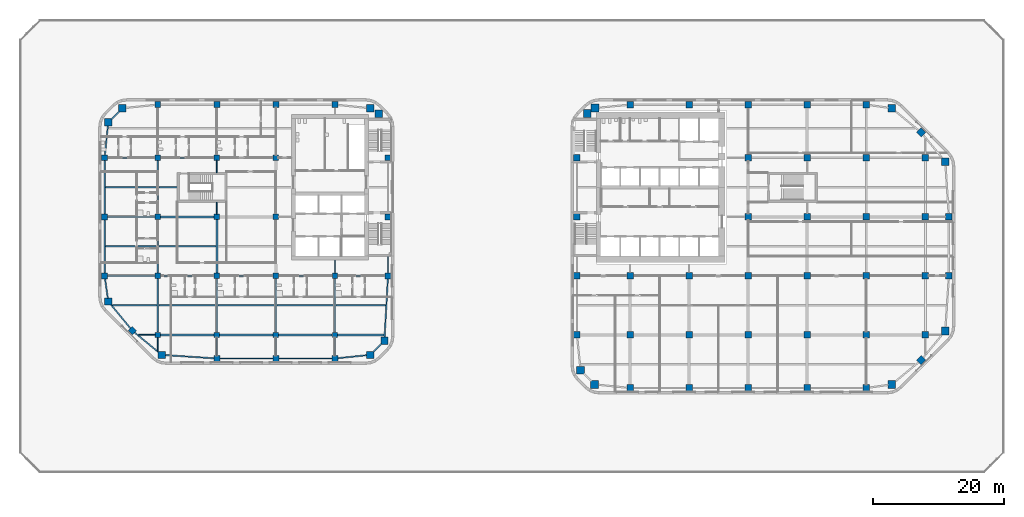
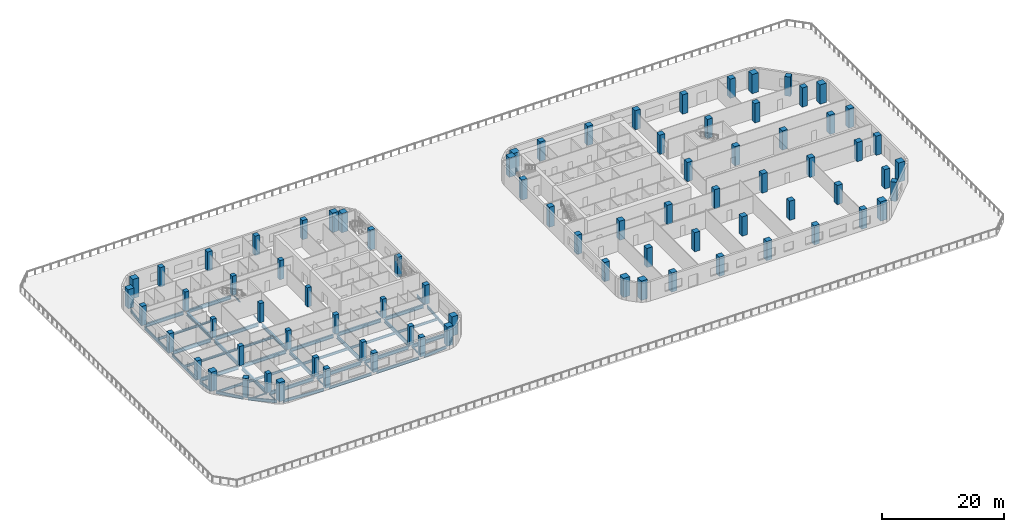
# One storey, part 1 of 18: 82 columns, 51 beams.
"""IFC4 building model written with IfcOpenShell, lengths in metres."""

from ifc_helpers import new_model, si_unit, direction, frame, origin, origin_2d, place, context, subcontext, project, spatial, rectangle, i_section, extrude, material, material_profile, profile_set, type_object, element, save


model = new_model("IFC4")

# Units and contexts
model_context = context("Model", 3, precision=1e-05, world=origin(), true_north=direction((0.0, 1.0)))
body_context = subcontext(model_context, "Body", "Model", "MODEL_VIEW")
ifc_project = project(units=[si_unit("LENGTHUNIT", "METRE"), si_unit("AREAUNIT", "SQUARE_METRE"), si_unit("VOLUMEUNIT", "CUBIC_METRE"), si_unit("PLANEANGLEUNIT", "RADIAN"), si_unit("MASSUNIT", "GRAM", prefix="KILO")], contexts=[model_context])

# Site, building, storey
site_placement = place(None, origin())
site = spatial("IfcSite", under=ifc_project, at=site_placement, CompositionType="ELEMENT")
building_placement = place(site_placement, origin())
building = spatial("IfcBuilding", under=site, at=building_placement, Name="Cinnabar Reach Civic Tower", CompositionType="ELEMENT")
storey_placement = place(building_placement, frame((0.0, 0.0, 26.0)))
storey = spatial("IfcBuildingStorey", under=building, at=storey_placement, Name="L05", CompositionType="ELEMENT", Elevation=26.0)

# Columns
ifc_material_1 = material(Name="Concrete C70", Category="concrete")
ifc_material_profile_1 = material_profile(ifc_material_1, rectangle(XDim=1.0, YDim=1.0, at=origin_2d()), Name="RC1000")
ifc_profile_set_1 = profile_set([ifc_material_profile_1], Name="Concrete C70")
column_type_1 = type_object("IfcColumnType", Name="RC1000 column R 240", PredefinedType="COLUMN", material=ifc_profile_set_1)
for number, where, z_axis, x_axis, name in (
    (1, (9.0, 0.9, 0.0), (0.0, 0.0, 1.0), (1.0, 0.0, 0.0), "Column T1-Z1-F0-1"),
    (2, (18.0, 0.9, 0.0), (0.0, 0.0, 1.0), (1.0, 0.0, 0.0), "Column T1-Z1-F0-2"),
    (3, (27.0, 0.9, 0.0), (0.0, 0.0, 1.0), (1.0, 0.0, 0.0), "Column T1-Z1-F0-3"),
    (4, (36.0, 0.9, 0.0), (0.0, 0.0, 1.0), (1.0, 0.0, 0.0), "Column T1-Z1-F0-4"),
    (5, (45.0, 0.9, 0.0), (0.0, 0.0, 1.0), (1.0, 0.0, 0.0), "Column T1-Z1-F0-5"),
    (6, (53.3636, 5.1364, 0.0), (0.0, 0.0, 1.0), (0.707106781187, 0.707106781187, 0.0), "Column T1-Z1-F1-M"),
    (7, (57.6, 18.0, 0.0), (0.0, 0.0, 1.0), (1.0, 0.0, 0.0), "Column T1-Z1-F2-2"),
    (8, (57.6, 27.0, 0.0), (0.0, 0.0, 1.0), (1.0, 0.0, 0.0), "Column T1-Z1-F2-3"),
    (9, (53.3636, 39.8636, 0.0), (0.0, 0.0, 1.0), (0.707106781187, 0.707106781187, 0.0), "Column T1-Z1-F3-M"),
    (10, (9.0, 44.1, 0.0), (0.0, 0.0, 1.0), (1.0, 0.0, 0.0), "Column T1-Z1-F4-1"),
    (11, (18.0, 44.1, 0.0), (0.0, 0.0, 1.0), (1.0, 0.0, 0.0), "Column T1-Z1-F4-2"),
    (12, (27.0, 44.1, 0.0), (0.0, 0.0, 1.0), (1.0, 0.0, 0.0), "Column T1-Z1-F4-3"),
    (13, (36.0, 44.1, 0.0), (0.0, 0.0, 1.0), (1.0, 0.0, 0.0), "Column T1-Z1-F4-4"),
    (14, (45.0, 44.1, 0.0), (0.0, 0.0, 1.0), (1.0, 0.0, 0.0), "Column T1-Z1-F4-5"),
    (15, (0.9, 9.0, 0.0), (0.0, 0.0, 1.0), (1.0, 0.0, 0.0), "Column T1-Z1-F6-1"),
    (16, (0.9, 18.0, 0.0), (0.0, 0.0, 1.0), (1.0, 0.0, 0.0), "Column T1-Z1-F6-2"),
):
    element("IfcColumn", number, at=place(storey_placement, frame(where, z_axis=z_axis, x_axis=x_axis)), inside=storey, type_object=column_type_1, Name=name, PredefinedType="COLUMN", context=body_context, shape_type="SweptSolid", body=[
        extrude(rectangle(XDim=1.0, YDim=1.0, at=origin_2d()), origin(), (0.0, 0.0, 1.0), 3.85),
    ])
for number, where, z_axis, x_axis, name in (
    (17, (0.9, 27.0, 0.0), (0.0, 0.0, 1.0), (1.0, 0.0, 0.0), "Column T1-Z1-F6-3"),
    (18, (0.9, 36.0, 0.0), (0.0, 0.0, 1.0), (1.0, 0.0, 0.0), "Column T1-Z1-F6-4"),
):
    element("IfcColumn", number, at=place(storey_placement, frame(where, z_axis=z_axis, x_axis=x_axis)), inside=storey, type_object=column_type_1, Name=name, PredefinedType="COLUMN", context=body_context, shape_type="SweptSolid", body=[
        extrude(rectangle(XDim=1.0, YDim=1.0, at=origin_2d()), origin(), (0.0, 0.0, 1.0), 4.0),
    ])
for number, where, z_axis, x_axis, name in (
    (19, (9.0, 9.0, 0.0), (0.0, 0.0, 1.0), (1.0, 0.0, 0.0), "Column T1-Z1-I9_9"),
    (20, (9.0, 18.0, 0.0), (0.0, 0.0, 1.0), (1.0, 0.0, 0.0), "Column T1-Z1-I9_18"),
    (21, (18.0, 9.0, 0.0), (0.0, 0.0, 1.0), (1.0, 0.0, 0.0), "Column T1-Z1-I18_9"),
    (22, (18.0, 18.0, 0.0), (0.0, 0.0, 1.0), (1.0, 0.0, 0.0), "Column T1-Z1-I18_18"),
    (23, (27.0, 9.0, 0.0), (0.0, 0.0, 1.0), (1.0, 0.0, 0.0), "Column T1-Z1-I27_9"),
    (24, (27.0, 18.0, 0.0), (0.0, 0.0, 1.0), (1.0, 0.0, 0.0), "Column T1-Z1-I27_18"),
    (25, (27.0, 27.0, 0.0), (0.0, 0.0, 1.0), (1.0, 0.0, 0.0), "Column T1-Z1-I27_27"),
    (26, (27.0, 36.0, 0.0), (0.0, 0.0, 1.0), (1.0, 0.0, 0.0), "Column T1-Z1-I27_36"),
    (27, (36.0, 9.0, 0.0), (0.0, 0.0, 1.0), (1.0, 0.0, 0.0), "Column T1-Z1-I36_9"),
    (28, (36.0, 18.0, 0.0), (0.0, 0.0, 1.0), (1.0, 0.0, 0.0), "Column T1-Z1-I36_18"),
    (29, (36.0, 27.0, 0.0), (0.0, 0.0, 1.0), (1.0, 0.0, 0.0), "Column T1-Z1-I36_27"),
    (30, (36.0, 36.0, 0.0), (0.0, 0.0, 1.0), (1.0, 0.0, 0.0), "Column T1-Z1-I36_36"),
    (31, (45.0, 9.0, 0.0), (0.0, 0.0, 1.0), (1.0, 0.0, 0.0), "Column T1-Z1-I45_9"),
    (32, (45.0, 18.0, 0.0), (0.0, 0.0, 1.0), (1.0, 0.0, 0.0), "Column T1-Z1-I45_18"),
    (33, (45.0, 27.0, 0.0), (0.0, 0.0, 1.0), (1.0, 0.0, 0.0), "Column T1-Z1-I45_27"),
    (34, (45.0, 36.0, 0.0), (0.0, 0.0, 1.0), (1.0, 0.0, 0.0), "Column T1-Z1-I45_36"),
    (35, (54.0, 9.0, 0.0), (0.0, 0.0, 1.0), (1.0, 0.0, 0.0), "Column T1-Z1-I54_9"),
    (36, (54.0, 18.0, 0.0), (0.0, 0.0, 1.0), (1.0, 0.0, 0.0), "Column T1-Z1-I54_18"),
    (37, (54.0, 27.0, 0.0), (0.0, 0.0, 1.0), (1.0, 0.0, 0.0), "Column T1-Z1-I54_27"),
    (38, (54.0, 36.0, 0.0), (0.0, 0.0, 1.0), (1.0, 0.0, 0.0), "Column T1-Z1-I54_36"),
):
    element("IfcColumn", number, at=place(storey_placement, frame(where, z_axis=z_axis, x_axis=x_axis)), inside=storey, type_object=column_type_1, Name=name, PredefinedType="COLUMN", context=body_context, shape_type="SweptSolid", body=[
        extrude(rectangle(XDim=1.0, YDim=1.0, at=origin_2d()), origin(), (0.0, 0.0, 1.0), 3.85),
    ])
ifc_material_2 = material(Name="Concrete C80", Category="concrete")
ifc_material_profile_2 = material_profile(ifc_material_2, rectangle(XDim=1.1, YDim=1.1, at=origin_2d()), Name="RC1100")
ifc_profile_set_2 = profile_set([ifc_material_profile_2], Name="Concrete C80")
column_type_2 = type_object("IfcColumnType", Name="RC1100 column R 180", PredefinedType="COLUMN", material=ifc_profile_set_2)
for number, where, z_axis, x_axis, name in (
    (39, (-62.3981, 5.9531, 0.0), (0.0, 0.0, 1.0), (1.0, 0.0, 0.0), "Column T2-Z1-CC0"),
    (40, (-30.6019, 5.9531, 0.0), (0.0, 0.0, 1.0), (1.0, 0.0, 0.0), "Column T2-Z1-CC1"),
    (41, (-28.4531, 8.1019, 0.0), (0.0, 0.0, 1.0), (1.0, 0.0, 0.0), "Column T2-Z1-CC2"),
    (42, (-29.3131, 42.7, 0.0), (0.0, 0.0, 1.0), (1.0, 0.0, 0.0), "Column T2-Z1-CC3"),
    (43, (-30.6019, 43.5469, 0.0), (0.0, 0.0, 1.0), (1.0, 0.0, 0.0), "Column T2-Z1-CC4"),
    (44, (-68.3981, 43.5469, 0.0), (0.0, 0.0, 1.0), (1.0, 0.0, 0.0), "Column T2-Z1-CC5"),
    (45, (-70.5469, 41.3981, 0.0), (0.0, 0.0, 1.0), (1.0, 0.0, 0.0), "Column T2-Z1-CC6"),
    (46, (-70.5469, 14.1019, 0.0), (0.0, 0.0, 1.0), (1.0, 0.0, 0.0), "Column T2-Z1-CC7"),
):
    element("IfcColumn", number, at=place(storey_placement, frame(where, z_axis=z_axis, x_axis=x_axis)), inside=storey, type_object=column_type_2, Name=name, PredefinedType="COLUMN", context=body_context, shape_type="SweptSolid", body=[
        extrude(rectangle(XDim=1.1, YDim=1.1, at=origin_2d()), origin(), (0.0, 0.0, 1.0), 3.85),
    ])
ifc_material_profile_3 = material_profile(ifc_material_2, rectangle(XDim=1.2, YDim=1.2, at=origin_2d()), Name="RC1200")
ifc_profile_set_3 = profile_set([ifc_material_profile_3], Name="Concrete C80")
column_type_3 = type_object("IfcColumnType", Name="RC1200 column R 240", PredefinedType="COLUMN", material=ifc_profile_set_3)
for number, where, z_axis, x_axis, name in (
    (47, (3.6019, 1.4531, 0.0), (0.0, 0.0, 1.0), (1.0, 0.0, 0.0), "Column T1-Z1-CC0"),
    (48, (48.8981, 1.4531, 0.0), (0.0, 0.0, 1.0), (1.0, 0.0, 0.0), "Column T1-Z1-CC1"),
    (49, (57.0469, 9.6019, 0.0), (0.0, 0.0, 1.0), (1.0, 0.0, 0.0), "Column T1-Z1-CC2"),
    (50, (57.0469, 35.3981, 0.0), (0.0, 0.0, 1.0), (1.0, 0.0, 0.0), "Column T1-Z1-CC3"),
    (51, (48.8981, 43.5469, 0.0), (0.0, 0.0, 1.0), (1.0, 0.0, 0.0), "Column T1-Z1-CC4"),
    (52, (3.6666, 43.5737, 0.0), (0.0, 0.0, 1.0), (1.0, 0.0, 0.0), "Column T1-Z1-CC5"),
    (53, (2.4631, 42.75, 0.0), (0.0, 0.0, 1.0), (1.0, 0.0, 0.0), "Column T1-Z1-CC6"),
    (54, (1.4531, 3.6019, 0.0), (0.0, 0.0, 1.0), (1.0, 0.0, 0.0), "Column T1-Z1-CC7"),
):
    element("IfcColumn", number, at=place(storey_placement, frame(where, z_axis=z_axis, x_axis=x_axis)), inside=storey, type_object=column_type_3, Name=name, PredefinedType="COLUMN", context=body_context, shape_type="SweptSolid", body=[
        extrude(rectangle(XDim=1.2, YDim=1.2, at=origin_2d()), origin(), (0.0, 0.0, 1.0), 3.85),
    ])
ifc_material_3 = material(Name="Concrete C60", Category="concrete")
ifc_material_profile_4 = material_profile(ifc_material_3, rectangle(XDim=0.8, YDim=0.8, at=origin_2d()), Name="RC800")
ifc_profile_set_4 = profile_set([ifc_material_profile_4], Name="Concrete C60")
column_type_4 = type_object("IfcColumnType", Name="RC800 column R 180", PredefinedType="COLUMN", material=ifc_profile_set_4)
for number, where, z_axis, x_axis, name in (
    (55, (-63.0, 9.0, 0.0), (0.0, 0.0, 1.0), (1.0, 0.0, 0.0), "Column T2-Z1-I-63_9"),
    (56, (-63.0, 18.0, 0.0), (0.0, 0.0, 1.0), (1.0, 0.0, 0.0), "Column T2-Z1-I-63_18"),
    (57, (-63.0, 27.0, 0.0), (0.0, 0.0, 1.0), (1.0, 0.0, 0.0), "Column T2-Z1-I-63_27"),
    (58, (-63.0, 36.0, 0.0), (0.0, 0.0, 1.0), (1.0, 0.0, 0.0), "Column T2-Z1-I-63_36"),
    (59, (-54.0, 9.0, 0.0), (0.0, 0.0, 1.0), (1.0, 0.0, 0.0), "Column T2-Z1-I-54_9"),
    (60, (-54.0, 18.0, 0.0), (0.0, 0.0, 1.0), (1.0, 0.0, 0.0), "Column T2-Z1-I-54_18"),
    (61, (-54.0, 27.0, 0.0), (0.0, 0.0, 1.0), (1.0, 0.0, 0.0), "Column T2-Z1-I-54_27"),
    (62, (-54.0, 36.0, 0.0), (0.0, 0.0, 1.0), (1.0, 0.0, 0.0), "Column T2-Z1-I-54_36"),
    (63, (-45.0, 9.0, 0.0), (0.0, 0.0, 1.0), (1.0, 0.0, 0.0), "Column T2-Z1-I-45_9"),
    (64, (-45.0, 18.0, 0.0), (0.0, 0.0, 1.0), (1.0, 0.0, 0.0), "Column T2-Z1-I-45_18"),
    (65, (-45.0, 27.0, 0.0), (0.0, 0.0, 1.0), (1.0, 0.0, 0.0), "Column T2-Z1-I-45_27"),
    (66, (-45.0, 36.0, 0.0), (0.0, 0.0, 1.0), (1.0, 0.0, 0.0), "Column T2-Z1-I-45_36"),
    (67, (-36.0, 9.0, 0.0), (0.0, 0.0, 1.0), (1.0, 0.0, 0.0), "Column T2-Z1-I-36_9"),
    (68, (-36.0, 18.0, 0.0), (0.0, 0.0, 1.0), (1.0, 0.0, 0.0), "Column T2-Z1-I-36_18"),
):
    element("IfcColumn", number, at=place(storey_placement, frame(where, z_axis=z_axis, x_axis=x_axis)), inside=storey, type_object=column_type_4, Name=name, PredefinedType="COLUMN", context=body_context, shape_type="SweptSolid", body=[
        extrude(rectangle(XDim=0.8, YDim=0.8, at=origin_2d()), origin(), (0.0, 0.0, 1.0), 3.85),
    ])
ifc_material_profile_5 = material_profile(ifc_material_1, rectangle(XDim=0.9, YDim=0.9, at=origin_2d()), Name="RC900")
ifc_profile_set_5 = profile_set([ifc_material_profile_5], Name="Concrete C70")
column_type_5 = type_object("IfcColumnType", Name="RC900 column R 180", PredefinedType="COLUMN", material=ifc_profile_set_5)
for number, where, z_axis, x_axis, name in (
    (69, (-54.0, 5.4, 0.0), (0.0, 0.0, 1.0), (1.0, 0.0, 0.0), "Column T2-Z1-F0--6"),
    (70, (-45.0, 5.4, 0.0), (0.0, 0.0, 1.0), (1.0, 0.0, 0.0), "Column T2-Z1-F0--5"),
    (71, (-36.0, 5.4, 0.0), (0.0, 0.0, 1.0), (1.0, 0.0, 0.0), "Column T2-Z1-F0--4"),
    (72, (-27.9, 18.0, 0.0), (0.0, 0.0, 1.0), (1.0, 0.0, 0.0), "Column T2-Z1-F2-2"),
):
    element("IfcColumn", number, at=place(storey_placement, frame(where, z_axis=z_axis, x_axis=x_axis)), inside=storey, type_object=column_type_5, Name=name, PredefinedType="COLUMN", context=body_context, shape_type="SweptSolid", body=[
        extrude(rectangle(XDim=0.9, YDim=0.9, at=origin_2d()), origin(), (0.0, 0.0, 1.0), 3.85),
    ])
for number, where, z_axis, x_axis, name in (
    (73, (-27.9, 27.0, 0.0), (0.0, 0.0, 1.0), (1.0, 0.0, 0.0), "Column T2-Z1-F2-3"),
    (74, (-27.9, 36.0, 0.0), (0.0, 0.0, 1.0), (1.0, 0.0, 0.0), "Column T2-Z1-F2-4"),
):
    element("IfcColumn", number, at=place(storey_placement, frame(where, z_axis=z_axis, x_axis=x_axis)), inside=storey, type_object=column_type_5, Name=name, PredefinedType="COLUMN", context=body_context, shape_type="SweptSolid", body=[
        extrude(rectangle(XDim=0.9, YDim=0.9, at=origin_2d()), origin(), (0.0, 0.0, 1.0), 4.0),
    ])
for number, where, z_axis, x_axis, name in (
    (75, (-63.0, 44.1, 0.0), (0.0, 0.0, 1.0), (1.0, 0.0, 0.0), "Column T2-Z1-F4--7"),
    (76, (-54.0, 44.1, 0.0), (0.0, 0.0, 1.0), (1.0, 0.0, 0.0), "Column T2-Z1-F4--6"),
    (77, (-45.0, 44.1, 0.0), (0.0, 0.0, 1.0), (1.0, 0.0, 0.0), "Column T2-Z1-F4--5"),
    (78, (-36.0, 44.1, 0.0), (0.0, 0.0, 1.0), (1.0, 0.0, 0.0), "Column T2-Z1-F4--4"),
    (79, (-71.1, 18.0, 0.0), (0.0, 0.0, 1.0), (1.0, 0.0, 0.0), "Column T2-Z1-F6-2"),
    (80, (-71.1, 27.0, 0.0), (0.0, 0.0, 1.0), (1.0, 0.0, 0.0), "Column T2-Z1-F6-3"),
    (81, (-71.1, 36.0, 0.0), (0.0, 0.0, 1.0), (1.0, 0.0, 0.0), "Column T2-Z1-F6-4"),
    (82, (-66.8636, 9.6364, 0.0), (0.0, 0.0, 1.0), (0.707106781187, 0.707106781187, 0.0), "Column T2-Z1-F7-M"),
):
    element("IfcColumn", number, at=place(storey_placement, frame(where, z_axis=z_axis, x_axis=x_axis)), inside=storey, type_object=column_type_5, Name=name, PredefinedType="COLUMN", context=body_context, shape_type="SweptSolid", body=[
        extrude(rectangle(XDim=0.9, YDim=0.9, at=origin_2d()), origin(), (0.0, 0.0, 1.0), 3.85),
    ])

# Beams
ifc_material_4 = material(Name="Steel Q355B", Category="steel")
ifc_material_profile_6 = material_profile(ifc_material_4, i_section(OverallWidth=0.099, OverallDepth=0.198, WebThickness=0.0045, FlangeThickness=0.007, FilletRadius=0.013, at=origin_2d()), Name="HN200x100x5.5x8")
ifc_profile_set_6 = profile_set([ifc_material_profile_6], Name="Steel Q355B")
beam_type_1 = type_object("IfcBeamType", Name="HN200x100x5.5x8 beam R 120", PredefinedType="BEAM", material=ifc_profile_set_6)
beam_1_placement = place(storey_placement, frame((-63.0, 6.5818, -0.249), z_axis=(0.0, 1.0, 0.0), x_axis=(-1.0, 0.0, 0.0)))
element("IfcBeam", 83, at=beam_1_placement, inside=storey, type_object=beam_type_1, Name="Girder T2 L05 1", PredefinedType="BEAM", context=body_context, shape_type="SweptSolid", body=[
    extrude(i_section(OverallWidth=0.099, OverallDepth=0.198, WebThickness=0.0045, FlangeThickness=0.007, FilletRadius=0.013, at=origin_2d()), origin(), (0.0, 0.0, 1.0), 2.0162),
])
beam_2_placement = place(storey_placement, frame((-54.0, 5.852, -0.249), z_axis=(0.0, 1.0, 0.0), x_axis=(-1.0, 0.0, 0.0)))
element("IfcBeam", 84, at=beam_2_placement, inside=storey, type_object=beam_type_1, Name="Girder T2 L05 6", PredefinedType="BEAM", context=body_context, shape_type="SweptSolid", body=[
    extrude(i_section(OverallWidth=0.099, OverallDepth=0.198, WebThickness=0.0045, FlangeThickness=0.007, FilletRadius=0.013, at=origin_2d()), origin(), (0.0, 0.0, 1.0), 2.746),
])
for number, where, z_axis, x_axis, name in (
    (85, (-54.0, 27.402, -0.249), (0.0, 1.0, 0.0), (-1.0, 0.0, 0.0), "Girder T2 L05 9"),
    (86, (-54.0, 33.752, -0.249), (0.0, 1.0, 0.0), (-1.0, 0.0, 0.0), "Girder T2 L05 10"),
):
    element("IfcBeam", number, at=place(storey_placement, frame(where, z_axis=z_axis, x_axis=x_axis)), inside=storey, type_object=beam_type_1, Name=name, PredefinedType="BEAM", context=body_context, shape_type="SweptSolid", body=[
        extrude(i_section(OverallWidth=0.099, OverallDepth=0.198, WebThickness=0.0045, FlangeThickness=0.007, FilletRadius=0.013, at=origin_2d()), origin(), (0.0, 0.0, 1.0), 1.846),
    ])
for number, where, z_axis, x_axis, name in (
    (87, (-45.0, 5.852, -0.249), (0.0, 1.0, 0.0), (-1.0, 0.0, 0.0), "Girder T2 L05 12"),
    (88, (-36.0, 5.852, -0.249), (0.0, 1.0, 0.0), (-1.0, 0.0, 0.0), "Girder T2 L05 17"),
):
    element("IfcBeam", number, at=place(storey_placement, frame(where, z_axis=z_axis, x_axis=x_axis)), inside=storey, type_object=beam_type_1, Name=name, PredefinedType="BEAM", context=body_context, shape_type="SweptSolid", body=[
        extrude(i_section(OverallWidth=0.099, OverallDepth=0.198, WebThickness=0.0045, FlangeThickness=0.007, FilletRadius=0.013, at=origin_2d()), origin(), (0.0, 0.0, 1.0), 2.746),
    ])
beam_3_placement = place(storey_placement, frame((-36.0, 18.402, -0.249), z_axis=(0.0, 1.0, 0.0), x_axis=(-1.0, 0.0, 0.0)))
element("IfcBeam", 89, at=beam_3_placement, inside=storey, type_object=beam_type_1, Name="Girder T2 L05 19", PredefinedType="BEAM", context=body_context, shape_type="SweptSolid", body=[
    extrude(i_section(OverallWidth=0.099, OverallDepth=0.198, WebThickness=0.0045, FlangeThickness=0.007, FilletRadius=0.013, at=origin_2d()), origin(), (0.0, 0.0, 1.0), 1.996),
])
ifc_material_profile_7 = material_profile(ifc_material_4, i_section(OverallWidth=0.124, OverallDepth=0.248, WebThickness=0.005, FlangeThickness=0.008, FilletRadius=0.013, at=origin_2d()), Name="HN250x125x6x9")
ifc_profile_set_7 = profile_set([ifc_material_profile_7], Name="Steel Q355B")
beam_type_2 = type_object("IfcBeamType", Name="HN250x125x6x9 beam R 120", PredefinedType="BEAM", material=ifc_profile_set_7)
beam_4_placement = place(storey_placement, frame((-65.9318, 9.0, -0.274), z_axis=(1.0, 0.0, 0.0), x_axis=(0.0, 1.0, 0.0)))
element("IfcBeam", 90, at=beam_4_placement, inside=storey, type_object=beam_type_2, Name="Girder T2 L05 1", PredefinedType="BEAM", context=body_context, shape_type="SweptSolid", body=[
    extrude(i_section(OverallWidth=0.124, OverallDepth=0.248, WebThickness=0.005, FlangeThickness=0.008, FilletRadius=0.013, at=origin_2d()), origin(), (0.0, 0.0, 1.0), 2.5298),
])
ifc_material_profile_8 = material_profile(ifc_material_4, i_section(OverallWidth=0.2, OverallDepth=0.4, WebThickness=0.008, FlangeThickness=0.013, FilletRadius=0.016, at=origin_2d()), Name="HN400x200x8x13")
ifc_profile_set_8 = profile_set([ifc_material_profile_8], Name="Steel Q355B")
beam_type_3 = type_object("IfcBeamType", Name="HN400x200x8x13 beam R 120", PredefinedType="BEAM", material=ifc_profile_set_8)
beam_5_placement = place(storey_placement, frame((-62.848, 31.5, -0.35), z_axis=(1.0, 0.0, 0.0), x_axis=(0.0, 1.0, 0.0)))
element("IfcBeam", 91, at=beam_5_placement, inside=storey, type_object=beam_type_3, Name="Secondary beam T2 L05 11", PredefinedType="BEAM", context=body_context, shape_type="SweptSolid", body=[
    extrude(i_section(OverallWidth=0.2, OverallDepth=0.4, WebThickness=0.008, FlangeThickness=0.013, FilletRadius=0.016, at=origin_2d()), origin(), (0.0, 0.0, 1.0), 2.846),
])
ifc_material_profile_9 = material_profile(ifc_material_4, i_section(OverallWidth=0.2, OverallDepth=0.5, WebThickness=0.01, FlangeThickness=0.016, FilletRadius=0.016, at=origin_2d()), Name="HN500x200x10x16")
ifc_profile_set_9 = profile_set([ifc_material_profile_9], Name="Steel Q355B")
beam_type_4 = type_object("IfcBeamType", Name="HN500x200x10x16 beam R 120", PredefinedType="BEAM", material=ifc_profile_set_9)
beam_6_placement = place(storey_placement, frame((-69.9182, 13.5, -0.4), z_axis=(1.0, 0.0, 0.0), x_axis=(0.0, 1.0, 0.0)))
element("IfcBeam", 92, at=beam_6_placement, inside=storey, type_object=beam_type_4, Name="Secondary beam T2 L05 1", PredefinedType="BEAM", context=body_context, shape_type="SweptSolid", body=[
    extrude(i_section(OverallWidth=0.2, OverallDepth=0.5, WebThickness=0.01, FlangeThickness=0.016, FilletRadius=0.016, at=origin_2d()), origin(), (0.0, 0.0, 1.0), 6.7662),
])
for number, where, z_axis, x_axis, name in (
    (93, (-62.848, 13.5, -0.4), (1.0, 0.0, 0.0), (0.0, 1.0, 0.0), "Secondary beam T2 L05 2"),
    (94, (-53.848, 13.5, -0.4), (1.0, 0.0, 0.0), (0.0, 1.0, 0.0), "Secondary beam T2 L05 3"),
    (95, (-44.848, 13.5, -0.4), (1.0, 0.0, 0.0), (0.0, 1.0, 0.0), "Secondary beam T2 L05 4"),
):
    element("IfcBeam", number, at=place(storey_placement, frame(where, z_axis=z_axis, x_axis=x_axis)), inside=storey, type_object=beam_type_4, Name=name, PredefinedType="BEAM", context=body_context, shape_type="SweptSolid", body=[
        extrude(i_section(OverallWidth=0.2, OverallDepth=0.5, WebThickness=0.01, FlangeThickness=0.016, FilletRadius=0.016, at=origin_2d()), origin(), (0.0, 0.0, 1.0), 8.696),
    ])
beam_7_placement = place(storey_placement, frame((-35.848, 13.5, -0.4), z_axis=(1.0, 0.0, 0.0), x_axis=(0.0, 1.0, 0.0)))
element("IfcBeam", 96, at=beam_7_placement, inside=storey, type_object=beam_type_4, Name="Secondary beam T2 L05 5", PredefinedType="BEAM", context=body_context, shape_type="SweptSolid", body=[
    extrude(i_section(OverallWidth=0.2, OverallDepth=0.5, WebThickness=0.01, FlangeThickness=0.016, FilletRadius=0.016, at=origin_2d()), origin(), (0.0, 0.0, 1.0), 7.5944),
])
beam_8_placement = place(storey_placement, frame((-70.998, 22.5, -0.4), z_axis=(1.0, 0.0, 0.0), x_axis=(0.0, 1.0, 0.0)))
element("IfcBeam", 97, at=beam_8_placement, inside=storey, type_object=beam_type_4, Name="Secondary beam T2 L05 6", PredefinedType="BEAM", context=body_context, shape_type="SweptSolid", body=[
    extrude(i_section(OverallWidth=0.2, OverallDepth=0.5, WebThickness=0.01, FlangeThickness=0.016, FilletRadius=0.016, at=origin_2d()), origin(), (0.0, 0.0, 1.0), 7.846),
])
beam_9_placement = place(storey_placement, frame((-62.848, 22.5, -0.4), z_axis=(1.0, 0.0, 0.0), x_axis=(0.0, 1.0, 0.0)))
element("IfcBeam", 98, at=beam_9_placement, inside=storey, type_object=beam_type_4, Name="Secondary beam T2 L05 7", PredefinedType="BEAM", context=body_context, shape_type="SweptSolid", body=[
    extrude(i_section(OverallWidth=0.2, OverallDepth=0.5, WebThickness=0.01, FlangeThickness=0.016, FilletRadius=0.016, at=origin_2d()), origin(), (0.0, 0.0, 1.0), 8.696),
])
beam_10_placement = place(storey_placement, frame((-70.998, 31.5, -0.4), z_axis=(1.0, 0.0, 0.0), x_axis=(0.0, 1.0, 0.0)))
element("IfcBeam", 99, at=beam_10_placement, inside=storey, type_object=beam_type_4, Name="Secondary beam T2 L05 10", PredefinedType="BEAM", context=body_context, shape_type="SweptSolid", body=[
    extrude(i_section(OverallWidth=0.2, OverallDepth=0.5, WebThickness=0.01, FlangeThickness=0.016, FilletRadius=0.016, at=origin_2d()), origin(), (0.0, 0.0, 1.0), 7.846),
])
ifc_material_profile_10 = material_profile(ifc_material_4, i_section(OverallWidth=0.2, OverallDepth=0.6, WebThickness=0.011, FlangeThickness=0.017, FilletRadius=0.016, at=origin_2d()), Name="HN600x200x11x17")
ifc_profile_set_10 = profile_set([ifc_material_profile_10], Name="Steel Q355B")
beam_type_5 = type_object("IfcBeamType", Name="HN600x200x11x17 beam R 120", PredefinedType="BEAM", material=ifc_profile_set_10)
beam_11_placement = place(storey_placement, frame((-61.9661, 5.9246, -0.45), z_axis=(0.99783894477, -0.065707231721, 0.0), x_axis=(0.065707231721, 0.99783894477, 0.0)))
element("IfcBeam", 100, at=beam_11_placement, inside=storey, type_object=beam_type_5, Name="Edge beam T2 L05 1", PredefinedType="BEAM", context=body_context, shape_type="SweptSolid", body=[
    extrude(i_section(OverallWidth=0.2, OverallDepth=0.6, WebThickness=0.011, FlangeThickness=0.017, FilletRadius=0.016, at=origin_2d()), origin(), (0.0, 0.0, 1.0), 7.5304),
])
for number, where, z_axis, x_axis, name in (
    (101, (-53.548, 5.4, -0.45), (1.0, 0.0, 0.0), (0.0, 1.0, 0.0), "Edge beam T2 L05 2"),
    (102, (-44.548, 5.4, -0.45), (1.0, 0.0, 0.0), (0.0, 1.0, 0.0), "Edge beam T2 L05 3"),
):
    element("IfcBeam", number, at=place(storey_placement, frame(where, z_axis=z_axis, x_axis=x_axis)), inside=storey, type_object=beam_type_5, Name=name, PredefinedType="BEAM", context=body_context, shape_type="SweptSolid", body=[
        extrude(i_section(OverallWidth=0.2, OverallDepth=0.6, WebThickness=0.011, FlangeThickness=0.017, FilletRadius=0.016, at=origin_2d()), origin(), (0.0, 0.0, 1.0), 8.096),
    ])
beam_12_placement = place(storey_placement, frame((-35.548, 5.4463, -0.45), z_axis=(0.994792272495, 0.101923179821, 0.0), x_axis=(-0.101923179821, 0.994792272495, 0.0)))
element("IfcBeam", 103, at=beam_12_placement, inside=storey, type_object=beam_type_5, Name="Edge beam T2 L05 4", PredefinedType="BEAM", context=body_context, shape_type="SweptSolid", body=[
    extrude(i_section(OverallWidth=0.2, OverallDepth=0.6, WebThickness=0.011, FlangeThickness=0.017, FilletRadius=0.016, at=origin_2d()), origin(), (0.0, 0.0, 1.0), 4.5377),
])
beam_13_placement = place(storey_placement, frame((-30.1699, 6.3851, -0.45), z_axis=(0.707106781187, 0.707106781187, 0.0), x_axis=(-0.707106781187, 0.707106781187, 0.0)))
element("IfcBeam", 104, at=beam_13_placement, inside=storey, type_object=beam_type_5, Name="Edge beam T2 L05 5", PredefinedType="BEAM", context=body_context, shape_type="SweptSolid", body=[
    extrude(i_section(OverallWidth=0.2, OverallDepth=0.6, WebThickness=0.011, FlangeThickness=0.017, FilletRadius=0.016, at=origin_2d()), origin(), (0.0, 0.0, 1.0), 1.817),
])
beam_14_placement = place(storey_placement, frame((-28.429, 8.5339, -0.45), z_axis=(0.055792085863, 0.998442408532, 0.0), x_axis=(-0.998442408532, 0.055792085863, 0.0)))
element("IfcBeam", 105, at=beam_14_placement, inside=storey, type_object=beam_type_5, Name="Edge beam T2 L05 6", PredefinedType="BEAM", context=body_context, shape_type="SweptSolid", body=[
    extrude(i_section(OverallWidth=0.2, OverallDepth=0.6, WebThickness=0.011, FlangeThickness=0.017, FilletRadius=0.016, at=origin_2d()), origin(), (0.0, 0.0, 1.0), 9.0282),
])
beam_15_placement = place(storey_placement, frame((-27.9, 18.452, -0.45), z_axis=(0.0, 1.0, 0.0), x_axis=(-1.0, 0.0, 0.0)))
element("IfcBeam", 106, at=beam_15_placement, inside=storey, type_object=beam_type_5, Name="Edge beam T2 L05 7", PredefinedType="BEAM", context=body_context, shape_type="SweptSolid", body=[
    extrude(i_section(OverallWidth=0.2, OverallDepth=0.6, WebThickness=0.011, FlangeThickness=0.017, FilletRadius=0.016, at=origin_2d()), origin(), (0.0, 0.0, 1.0), 2.546),
])
beam_16_placement = place(storey_placement, frame((-68.8301, 43.1149, -0.45), z_axis=(-0.707106781187, -0.707106781187, 0.0), x_axis=(0.707106781187, -0.707106781187, 0.0)))
element("IfcBeam", 107, at=beam_16_placement, inside=storey, type_object=beam_type_5, Name="Edge beam T2 L05 14", PredefinedType="BEAM", context=body_context, shape_type="SweptSolid", body=[
    extrude(i_section(OverallWidth=0.2, OverallDepth=0.6, WebThickness=0.011, FlangeThickness=0.017, FilletRadius=0.016, at=origin_2d()), origin(), (0.0, 0.0, 1.0), 1.817),
])
beam_17_placement = place(storey_placement, frame((-70.5912, 40.9661, -0.45), z_axis=(-0.101923179821, -0.994792272495, 0.0), x_axis=(0.994792272495, -0.101923179821, 0.0)))
element("IfcBeam", 108, at=beam_17_placement, inside=storey, type_object=beam_type_5, Name="Edge beam T2 L05 15", PredefinedType="BEAM", context=body_context, shape_type="SweptSolid", body=[
    extrude(i_section(OverallWidth=0.2, OverallDepth=0.6, WebThickness=0.011, FlangeThickness=0.017, FilletRadius=0.016, at=origin_2d()), origin(), (0.0, 0.0, 1.0), 4.5377),
])
for number, where, z_axis, x_axis, name in (
    (109, (-71.1, 35.548, -0.45), (0.0, -1.0, 0.0), (1.0, 0.0, 0.0), "Edge beam T2 L05 16"),
    (110, (-71.1, 26.548, -0.45), (0.0, -1.0, 0.0), (1.0, 0.0, 0.0), "Edge beam T2 L05 17"),
):
    element("IfcBeam", number, at=place(storey_placement, frame(where, z_axis=z_axis, x_axis=x_axis)), inside=storey, type_object=beam_type_5, Name=name, PredefinedType="BEAM", context=body_context, shape_type="SweptSolid", body=[
        extrude(i_section(OverallWidth=0.2, OverallDepth=0.6, WebThickness=0.011, FlangeThickness=0.017, FilletRadius=0.016, at=origin_2d()), origin(), (0.0, 0.0, 1.0), 8.096),
    ])
beam_18_placement = place(storey_placement, frame((-71.0359, 17.548, -0.45), z_axis=(0.140492342965, -0.990081765092, 0.0), x_axis=(0.990081765092, 0.140492342965, 0.0)))
element("IfcBeam", 111, at=beam_18_placement, inside=storey, type_object=beam_type_5, Name="Edge beam T2 L05 18", PredefinedType="BEAM", context=body_context, shape_type="SweptSolid", body=[
    extrude(i_section(OverallWidth=0.2, OverallDepth=0.6, WebThickness=0.011, FlangeThickness=0.017, FilletRadius=0.016, at=origin_2d()), origin(), (0.0, 0.0, 1.0), 3.0443),
])
for number, where, z_axis, x_axis, name in (
    (112, (-70.1906, 13.6699, -0.45), (0.63630880182, -0.771434448755, 0.0), (0.771434448755, 0.63630880182, 0.0), "Edge beam T2 L05 19"),
    (113, (-66.5598, 9.3858, -0.45), (0.771434448755, -0.63630880182, 0.0), (0.63630880182, 0.771434448755, 0.0), "Edge beam T2 L05 20"),
):
    element("IfcBeam", number, at=place(storey_placement, frame(where, z_axis=z_axis, x_axis=x_axis)), inside=storey, type_object=beam_type_5, Name=name, PredefinedType="BEAM", context=body_context, shape_type="SweptSolid", body=[
        extrude(i_section(OverallWidth=0.2, OverallDepth=0.6, WebThickness=0.011, FlangeThickness=0.017, FilletRadius=0.016, at=origin_2d()), origin(), (0.0, 0.0, 1.0), 4.8348),
    ])
ifc_material_profile_11 = material_profile(ifc_material_4, i_section(OverallWidth=0.3, OverallDepth=0.692, WebThickness=0.013, FlangeThickness=0.02, FilletRadius=0.016, at=origin_2d()), Name="HN692x300x13x20")
ifc_profile_set_11 = profile_set([ifc_material_profile_11], Name="Steel Q355B")
beam_type_6 = type_object("IfcBeamType", Name="HN692x300x13x20 beam R 120", PredefinedType="BEAM", material=ifc_profile_set_11)
for number, where, z_axis, x_axis, name in (
    (114, (-63.0, 9.402, -0.496), (0.0, 1.0, 0.0), (-1.0, 0.0, 0.0), "Girder T2 L05 2"),
    (115, (-63.0, 18.402, -0.496), (0.0, 1.0, 0.0), (-1.0, 0.0, 0.0), "Girder T2 L05 3"),
    (116, (-63.0, 27.402, -0.496), (0.0, 1.0, 0.0), (-1.0, 0.0, 0.0), "Girder T2 L05 4"),
    (117, (-54.0, 9.402, -0.496), (0.0, 1.0, 0.0), (-1.0, 0.0, 0.0), "Girder T2 L05 7"),
    (118, (-54.0, 18.402, -0.496), (0.0, 1.0, 0.0), (-1.0, 0.0, 0.0), "Girder T2 L05 8"),
    (119, (-45.0, 9.402, -0.496), (0.0, 1.0, 0.0), (-1.0, 0.0, 0.0), "Girder T2 L05 13"),
    (120, (-36.0, 9.402, -0.496), (0.0, 1.0, 0.0), (-1.0, 0.0, 0.0), "Girder T2 L05 18"),
):
    element("IfcBeam", number, at=place(storey_placement, frame(where, z_axis=z_axis, x_axis=x_axis)), inside=storey, type_object=beam_type_6, Name=name, PredefinedType="BEAM", context=body_context, shape_type="SweptSolid", body=[
        extrude(i_section(OverallWidth=0.3, OverallDepth=0.692, WebThickness=0.013, FlangeThickness=0.02, FilletRadius=0.016, at=origin_2d()), origin(), (0.0, 0.0, 1.0), 8.196),
    ])
ifc_material_profile_12 = material_profile(ifc_material_4, i_section(OverallWidth=0.3, OverallDepth=0.7, WebThickness=0.013, FlangeThickness=0.024, FilletRadius=0.02, at=origin_2d()), Name="HN700x300x13x24")
ifc_profile_set_12 = profile_set([ifc_material_profile_12], Name="Steel Q355B")
beam_type_7 = type_object("IfcBeamType", Name="HN700x300x13x24 beam R 120", PredefinedType="BEAM", material=ifc_profile_set_12)
for number, where, z_axis, x_axis, name in (
    (121, (-62.598, 9.0, -0.5), (1.0, 0.0, 0.0), (0.0, 1.0, 0.0), "Girder T2 L05 2"),
    (122, (-53.598, 9.0, -0.5), (1.0, 0.0, 0.0), (0.0, 1.0, 0.0), "Girder T2 L05 3"),
    (123, (-44.598, 9.0, -0.5), (1.0, 0.0, 0.0), (0.0, 1.0, 0.0), "Girder T2 L05 4"),
):
    element("IfcBeam", number, at=place(storey_placement, frame(where, z_axis=z_axis, x_axis=x_axis)), inside=storey, type_object=beam_type_7, Name=name, PredefinedType="BEAM", context=body_context, shape_type="SweptSolid", body=[
        extrude(i_section(OverallWidth=0.3, OverallDepth=0.7, WebThickness=0.013, FlangeThickness=0.024, FilletRadius=0.02, at=origin_2d()), origin(), (0.0, 0.0, 1.0), 8.196),
    ])
beam_19_placement = place(storey_placement, frame((-35.598, 9.0, -0.5), z_axis=(1.0, 0.0, 0.0), x_axis=(0.0, 1.0, 0.0)))
element("IfcBeam", 124, at=beam_19_placement, inside=storey, type_object=beam_type_7, Name="Girder T2 L05 5", PredefinedType="BEAM", context=body_context, shape_type="SweptSolid", body=[
    extrude(i_section(OverallWidth=0.3, OverallDepth=0.7, WebThickness=0.013, FlangeThickness=0.024, FilletRadius=0.02, at=origin_2d()), origin(), (0.0, 0.0, 1.0), 7.0929),
])
beam_20_placement = place(storey_placement, frame((-70.648, 18.0, -0.5), z_axis=(1.0, 0.0, 0.0), x_axis=(0.0, 1.0, 0.0)))
element("IfcBeam", 125, at=beam_20_placement, inside=storey, type_object=beam_type_7, Name="Girder T2 L05 6", PredefinedType="BEAM", context=body_context, shape_type="SweptSolid", body=[
    extrude(i_section(OverallWidth=0.3, OverallDepth=0.7, WebThickness=0.013, FlangeThickness=0.024, FilletRadius=0.02, at=origin_2d()), origin(), (0.0, 0.0, 1.0), 7.246),
])
for number, where, z_axis, x_axis, name in (
    (126, (-62.598, 18.0, -0.5), (1.0, 0.0, 0.0), (0.0, 1.0, 0.0), "Girder T2 L05 7"),
    (127, (-53.598, 18.0, -0.5), (1.0, 0.0, 0.0), (0.0, 1.0, 0.0), "Girder T2 L05 8"),
    (128, (-44.598, 18.0, -0.5), (1.0, 0.0, 0.0), (0.0, 1.0, 0.0), "Girder T2 L05 9"),
):
    element("IfcBeam", number, at=place(storey_placement, frame(where, z_axis=z_axis, x_axis=x_axis)), inside=storey, type_object=beam_type_7, Name=name, PredefinedType="BEAM", context=body_context, shape_type="SweptSolid", body=[
        extrude(i_section(OverallWidth=0.3, OverallDepth=0.7, WebThickness=0.013, FlangeThickness=0.024, FilletRadius=0.02, at=origin_2d()), origin(), (0.0, 0.0, 1.0), 8.196),
    ])
for number, where, z_axis, x_axis, name in (
    (129, (-35.598, 18.0, -0.5), (1.0, 0.0, 0.0), (0.0, 1.0, 0.0), "Girder T2 L05 10"),
    (130, (-70.648, 27.0, -0.5), (1.0, 0.0, 0.0), (0.0, 1.0, 0.0), "Girder T2 L05 11"),
):
    element("IfcBeam", number, at=place(storey_placement, frame(where, z_axis=z_axis, x_axis=x_axis)), inside=storey, type_object=beam_type_7, Name=name, PredefinedType="BEAM", context=body_context, shape_type="SweptSolid", body=[
        extrude(i_section(OverallWidth=0.3, OverallDepth=0.7, WebThickness=0.013, FlangeThickness=0.024, FilletRadius=0.02, at=origin_2d()), origin(), (0.0, 0.0, 1.0), 7.246),
    ])
beam_21_placement = place(storey_placement, frame((-62.598, 27.0, -0.5), z_axis=(1.0, 0.0, 0.0), x_axis=(0.0, 1.0, 0.0)))
element("IfcBeam", 131, at=beam_21_placement, inside=storey, type_object=beam_type_7, Name="Girder T2 L05 12", PredefinedType="BEAM", context=body_context, shape_type="SweptSolid", body=[
    extrude(i_section(OverallWidth=0.3, OverallDepth=0.7, WebThickness=0.013, FlangeThickness=0.024, FilletRadius=0.02, at=origin_2d()), origin(), (0.0, 0.0, 1.0), 8.196),
])
beam_22_placement = place(storey_placement, frame((-70.648, 36.0, -0.5), z_axis=(1.0, 0.0, 0.0), x_axis=(0.0, 1.0, 0.0)))
element("IfcBeam", 132, at=beam_22_placement, inside=storey, type_object=beam_type_7, Name="Girder T2 L05 15", PredefinedType="BEAM", context=body_context, shape_type="SweptSolid", body=[
    extrude(i_section(OverallWidth=0.3, OverallDepth=0.7, WebThickness=0.013, FlangeThickness=0.024, FilletRadius=0.02, at=origin_2d()), origin(), (0.0, 0.0, 1.0), 7.246),
])
beam_23_placement = place(storey_placement, frame((-62.598, 36.0, -0.5), z_axis=(1.0, 0.0, 0.0), x_axis=(0.0, 1.0, 0.0)))
element("IfcBeam", 133, at=beam_23_placement, inside=storey, type_object=beam_type_7, Name="Girder T2 L05 16", PredefinedType="BEAM", context=body_context, shape_type="SweptSolid", body=[
    extrude(i_section(OverallWidth=0.3, OverallDepth=0.7, WebThickness=0.013, FlangeThickness=0.024, FilletRadius=0.02, at=origin_2d()), origin(), (0.0, 0.0, 1.0), 8.196),
])

save(model, "model.ifc")
